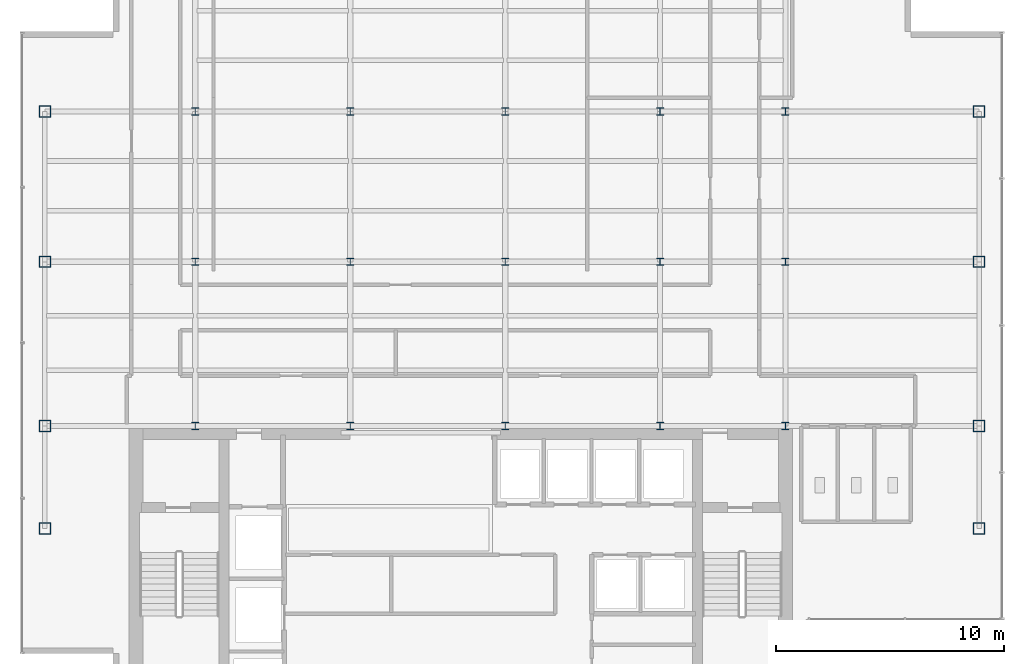
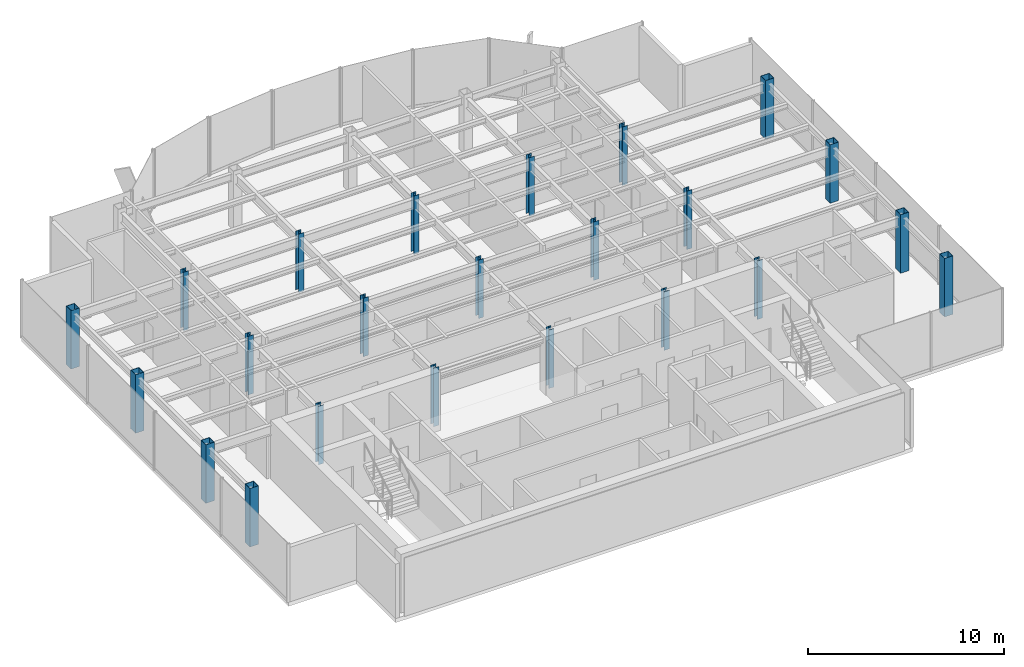
# One storey, part 1 of 22: 23 columns.
"""IFC4 building model written with IfcOpenShell, lengths in metres."""

import ifcopenshell
import ifcopenshell.guid

model = None  # the IFC model being written
_history = None  # IfcOwnerHistory: only IFC2X3 demands one
_inside = {}  # id of a spatial element -> (the spatial element, [elements in it])
_under = {}  # id of a project, library or spatial element -> (it, [spatial elements below it])
_declared = {}  # id of a project -> (the project, [libraries it declares])
_typed = {}  # id of a type object -> (the type object, [elements of that type])
_made_of = {}  # id of a material, layer set ... -> (it, [elements and type objects made of it])


def new_model(schema):
    """Start an empty IFC model of exactly this schema.

    Asked for "IFC4X3", IfcOpenShell would pick the latest addendum, in which some entities
    have other attributes; the version numbers below select the first issue.
    IFC2X3 requires an IfcOwnerHistory on every rooted entity: one is made here for all.
    """
    global model, _history
    if schema == "IFC4X3":
        model = ifcopenshell.file(schema_version=(4, 3, 0, 0))
    else:
        model = ifcopenshell.file(schema=schema)
    _inside.clear()
    _under.clear()
    _declared.clear()
    _typed.clear()
    _made_of.clear()
    _history = None
    if model.schema == "IFC2X3":
        org = make("IfcOrganization", Name="unknown")
        user = make(
            "IfcPersonAndOrganization",
            ThePerson=make("IfcPerson", FamilyName="unknown"),
            TheOrganization=org,
        )
        app = make(
            "IfcApplication",
            ApplicationDeveloper=org,
            Version="unknown",
            ApplicationFullName="unknown",
            ApplicationIdentifier="unknown",
        )
        _history = make(
            "IfcOwnerHistory",
            OwningUser=user,
            OwningApplication=app,
            ChangeAction="ADDED",
            CreationDate=0,
        )
    return model


def make(cls, **values):
    """One entity of the class cls with the attributes given. An attribute that is None is left unset."""
    return model.create_entity(
        cls, **{name: value for name, value in values.items() if value is not None}
    )


def rooted(cls, **values):
    """An entity with a GlobalId (a new one), such as an element, a storey or a relation."""
    return make(cls, GlobalId=ifcopenshell.guid.new(), OwnerHistory=_history, **values)


def si_unit(unit_type, name, prefix=None):
    """IfcSIUnit, for example si_unit("LENGTHUNIT", "METRE", prefix="MILLI")."""
    return make("IfcSIUnit", UnitType=unit_type, Prefix=prefix, Name=name)


def derived_unit(unit_type, elements):
    """IfcDerivedUnit: a product of units, each with its exponent."""
    return make(
        "IfcDerivedUnit",
        Elements=[
            make("IfcDerivedUnitElement", Unit=unit, Exponent=power)
            for unit, power in elements
        ],
        UnitType=unit_type,
    )


def assignment(units):
    """IfcUnitAssignment: the units of a project."""
    return None if units is None else make("IfcUnitAssignment", Units=units)


def point(xyz):
    """IfcCartesianPoint."""
    return None if xyz is None else make("IfcCartesianPoint", Coordinates=xyz)


def direction(xyz):
    """IfcDirection."""
    return None if xyz is None else make("IfcDirection", DirectionRatios=xyz)


def frame(location, z_axis=None, x_axis=None):
    """IfcAxis2Placement3D, a coordinate frame: its origin and axes. An axis left out is left unset."""
    return make(
        "IfcAxis2Placement3D",
        Location=point(location),
        Axis=direction(z_axis),
        RefDirection=direction(x_axis),
    )


def frame_2d(location, x_axis=None):
    """IfcAxis2Placement2D, a coordinate frame in the plane: its origin and x axis."""
    return make(
        "IfcAxis2Placement2D", Location=point(location), RefDirection=direction(x_axis)
    )


def origin():
    """The frame at (0, 0, 0) with its axes left unset."""
    return frame((0.0, 0.0, 0.0))


def origin_2d():
    """The frame at (0, 0) in the plane with its x axis left unset."""
    return frame_2d((0.0, 0.0))


def place(relative_to, where):
    """IfcLocalPlacement: puts the frame where relative to a parent placement (None: the world)."""
    return make(
        "IfcLocalPlacement", PlacementRelTo=relative_to, RelativePlacement=where
    )


def context(
    kind, dimensions, precision=None, world=None, true_north=None, identifier=None
):
    """IfcGeometricRepresentationContext, for example the 3D "Model" context."""
    return make(
        "IfcGeometricRepresentationContext",
        ContextIdentifier=identifier,
        ContextType=kind,
        CoordinateSpaceDimension=dimensions,
        Precision=precision,
        WorldCoordinateSystem=world,
        TrueNorth=true_north,
    )


def subcontext(parent, identifier, kind, view, scale=None):
    """IfcGeometricRepresentationSubContext, for example "Body" below "Model"."""
    return make(
        "IfcGeometricRepresentationSubContext",
        ContextIdentifier=identifier,
        ContextType=kind,
        ParentContext=parent,
        TargetScale=scale,
        TargetView=view,
    )


def project(units=None, contexts=None):
    """IfcProject with its units and contexts."""
    return rooted(
        "IfcProject",
        Name="project",
        RepresentationContexts=contexts,
        UnitsInContext=assignment(units),
    )


def spatial(cls, under=None, at=None, **own):
    """A site, building, storey or space (cls), placed at a placement, below another one or the project."""
    s = rooted(cls, ObjectPlacement=at, **own)
    if under is not None:
        _under.setdefault(under.id(), (under, []))[1].append(s)
    return s


def profile(cls, at=None, kind="AREA", **sizes):
    """A parametric profile (cls). Its sizes go by their IFC names, for example OverallWidth=200.0."""
    return make(cls, ProfileType=kind, Position=at, **sizes)


def hollow_rectangle(**sizes):
    """IfcRectangleHollowProfileDef."""
    return profile("IfcRectangleHollowProfileDef", **sizes)


def i_section(**sizes):
    """IfcIShapeProfileDef."""
    return profile("IfcIShapeProfileDef", **sizes)


def extrude(swept, where, along, depth):
    """IfcExtrudedAreaSolid: the profile swept, set in the frame where, extruded along a direction by depth."""
    return make(
        "IfcExtrudedAreaSolid",
        SweptArea=swept,
        Position=where,
        ExtrudedDirection=direction(along),
        Depth=depth,
    )


def shape(context_of_items, identifier, shape_type, items):
    """IfcShapeRepresentation: the items that make up one representation, for example the "Body"."""
    return make(
        "IfcShapeRepresentation",
        ContextOfItems=context_of_items,
        RepresentationIdentifier=identifier,
        RepresentationType=shape_type,
        Items=items,
    )


def source(mapping_origin, context_of_items, identifier, shape_type, items):
    """IfcRepresentationMap: a shape defined once, which mapped items show again and again."""
    return make(
        "IfcRepresentationMap",
        MappingOrigin=mapping_origin,
        MappedRepresentation=shape(context_of_items, identifier, shape_type, items),
    )


def transform(
    local_origin,
    x_axis=None,
    y_axis=None,
    z_axis=None,
    scale=None,
    scale2=None,
    scale3=None,
    uniform=True,
):
    """IfcCartesianTransformationOperator3D, or its non-uniform kind. x_axis, y_axis, z_axis: its Axis1, 2, 3."""
    if uniform:
        return make(
            "IfcCartesianTransformationOperator3D",
            Axis1=direction(x_axis),
            Axis2=direction(y_axis),
            LocalOrigin=point(local_origin),
            Scale=scale,
            Axis3=direction(z_axis),
        )
    return make(
        "IfcCartesianTransformationOperator3DnonUniform",
        Axis1=direction(x_axis),
        Axis2=direction(y_axis),
        LocalOrigin=point(local_origin),
        Scale=scale,
        Axis3=direction(z_axis),
        Scale2=scale2,
        Scale3=scale3,
    )


def mapped(mapping_source, mapping_target):
    """IfcMappedItem: shows the shape of a source again, moved by a transform."""
    return make(
        "IfcMappedItem", MappingSource=mapping_source, MappingTarget=mapping_target
    )


def material(Name=None, Category=None):
    """IfcMaterial."""
    return make("IfcMaterial", Name=Name, Category=Category)


def material_profile(
    of_material, cross_section, Name=None, Category=None, Priority=None
):
    """IfcMaterialProfile: a cross section and its material."""
    return make(
        "IfcMaterialProfile",
        Name=Name,
        Material=of_material,
        Profile=cross_section,
        Priority=Priority,
        Category=Category,
    )


def profile_set(profiles, Name=None, composite=None):
    """IfcMaterialProfileSet."""
    return make(
        "IfcMaterialProfileSet",
        Name=Name,
        MaterialProfiles=profiles,
        CompositeProfile=composite,
    )


def made_of(thing, what):
    """Note that an element or type object is made of a material, layer set ...; save() writes the relation."""
    if what is not None:
        _made_of.setdefault(what.id(), (what, []))[1].append(thing)
    return thing


def type_object(cls, material=None, **own):
    """A type object (cls), such as IfcWallType, which elements share."""
    return made_of(rooted(cls, **own), material)


def element(
    cls,
    number,
    at=None,
    inside=None,
    cuts=None,
    type_object=None,
    material=None,
    context=None,
    identifier="Body",
    shape_type=None,
    held_by="IfcProductDefinitionShape",
    body=None,
    shapes=None,
    **own,
):
    """One element of the class cls, such as IfcWall. Its Tag is "e" and its number.

    at: its placement. inside: the storey or other place that contains it. cuts: it is an
    opening in that element (IfcRelVoidsElement). A single representation is given by context,
    identifier, shape_type and body (its items); several are given by shapes. held_by: the class
    of the entity that holds the representations. save() writes the other relations.
    """
    e = rooted(cls, Tag="e%d" % number, ObjectPlacement=at, **own)
    if body is not None:
        shapes = [shape(context, identifier, shape_type, body)]
    if shapes is not None:
        e.Representation = make(held_by, Representations=shapes)
    if inside is not None:
        _inside.setdefault(inside.id(), (inside, []))[1].append(e)
    if cuts is not None:
        rooted(
            "IfcRelVoidsElement", RelatingBuildingElement=cuts, RelatedOpeningElement=e
        )
    if type_object is not None:
        _typed.setdefault(type_object.id(), (type_object, []))[1].append(e)
    return made_of(e, material)


def aggregate(whole, parts):
    """IfcRelAggregates: a whole, such as a stair, and the parts it consists of."""
    return rooted("IfcRelAggregates", RelatingObject=whole, RelatedObjects=parts)


def save(model, path):
    """Write the relations noted so far, then the file.

    IfcRelAggregates (storeys below a building ...), IfcRelContainedInSpatialStructure (elements
    in a storey), IfcRelDefinesByType, IfcRelAssociatesMaterial and IfcRelDeclares: one each for
    every whole, place, type object, material and project.
    """
    for whole, parts in _under.values():
        aggregate(whole, parts)
    for where, things in _inside.values():
        rooted(
            "IfcRelContainedInSpatialStructure",
            RelatedElements=things,
            RelatingStructure=where,
        )
    for kind, things in _typed.values():
        rooted("IfcRelDefinesByType", RelatedObjects=things, RelatingType=kind)
    for what, things in _made_of.values():
        rooted("IfcRelAssociatesMaterial", RelatedObjects=things, RelatingMaterial=what)
    for by, libraries in _declared.values():
        rooted("IfcRelDeclares", RelatingContext=by, RelatedDefinitions=libraries)
    model.write(path)


model = new_model("IFC4")

# Units and contexts
model_context = context("Model", 3, precision=1e-05, world=origin(), true_north=direction((0.0, 1.0)))
body_context = subcontext(model_context, "Body", "Model", "MODEL_VIEW")
ifc_project = project(units=[si_unit("LENGTHUNIT", "METRE"), si_unit("AREAUNIT", "SQUARE_METRE"), si_unit("VOLUMEUNIT", "CUBIC_METRE"), si_unit("PLANEANGLEUNIT", "RADIAN"), si_unit("MASSUNIT", "GRAM", prefix="KILO"), derived_unit("THERMALTRANSMITTANCEUNIT", [(si_unit("POWERUNIT", "WATT"), 1), (si_unit("LENGTHUNIT", "METRE"), -2), (si_unit("THERMODYNAMICTEMPERATUREUNIT", "KELVIN"), -1)])], contexts=[model_context])

# Site, building, storey
site_placement = place(None, origin())
site = spatial("IfcSite", under=ifc_project, at=site_placement, CompositionType="ELEMENT")
building_placement = place(site_placement, origin())
building = spatial("IfcBuilding", under=site, at=building_placement, Name="Skarnbrae Concourse Arena and Tower", CompositionType="ELEMENT")
storey_placement = place(building_placement, frame((0.0, 0.0, 262.449951171875)))
storey = spatial("IfcBuildingStorey", under=building, at=storey_placement, Name="L68", CompositionType="ELEMENT", Elevation=262.449951171875)

# Columns
ifc_material = material(Name="Steel CSA G40.21 350W", Category="steel")
ifc_material_profile_1 = material_profile(ifc_material, hollow_rectangle(XDim=0.5, YDim=0.5, WallThickness=0.02197265625, at=origin_2d()), Name="HSS500X500X22.0")
ifc_profile_set_1 = profile_set([ifc_material_profile_1], Name="Steel CSA G40.21 350W")
column_type_1 = type_object("IfcColumnType", Name="COL-TUBE-HSS500", PredefinedType="COLUMN", material=ifc_profile_set_1)
shared_shape_1 = source(origin(), body_context, "Body", "SweptSolid", [
    extrude(hollow_rectangle(XDim=0.5, YDim=0.5, WallThickness=0.02197265625, at=origin_2d()), origin(), (0.0, 0.0, 1.0), 3.650146484375),
])
for number, where, z_axis, x_axis, name in (
    (1, (1.0, 9.5, 0.0), (0.0, 0.0, 1.0), (1.0, 0.0, 0.0), "L68 Tower column PC_01_01"),
    (2, (1.0, 14.0, 0.0), (0.0, 0.0, 1.0), (1.0, 0.0, 0.0), "L68 Tower column PC_01_02"),
    (3, (1.0, 21.199951171875, 0.0), (0.0, 0.0, 1.0), (1.0, 0.0, 0.0), "L68 Tower column PC_01_03"),
    (4, (1.0, 27.800048828125, 0.0), (0.0, 0.0, 1.0), (1.0, 0.0, 0.0), "L68 Tower column PC_01_04"),
    (5, (42.0, 9.5, 0.0), (0.0, 0.0, 1.0), (1.0, 0.0, 0.0), "L68 Tower column PC_07_01"),
    (6, (42.0, 14.0, 0.0), (0.0, 0.0, 1.0), (1.0, 0.0, 0.0), "L68 Tower column PC_07_02"),
    (7, (42.0, 21.199951171875, 0.0), (0.0, 0.0, 1.0), (1.0, 0.0, 0.0), "L68 Tower column PC_07_03"),
    (8, (42.0, 27.800048828125, 0.0), (0.0, 0.0, 1.0), (1.0, 0.0, 0.0), "L68 Tower column PC_07_04"),
):
    element("IfcColumn", number, at=place(storey_placement, frame(where, z_axis=z_axis, x_axis=x_axis)), inside=storey, type_object=column_type_1, Name=name, PredefinedType="COLUMN", context=body_context, shape_type="MappedRepresentation", body=[
        mapped(shared_shape_1, transform((0.0, 0.0, 0.0))),
    ])
ifc_material_profile_2 = material_profile(ifc_material, i_section(OverallWidth=0.30908203125, OverallDepth=0.322998046875, WebThickness=0.013916015625, FlangeThickness=0.02294921875, at=origin_2d()), Name="W310X143")
ifc_profile_set_2 = profile_set([ifc_material_profile_2], Name="Steel CSA G40.21 350W")
column_type_2 = type_object("IfcColumnType", Name="COL-INT-W310X143", PredefinedType="COLUMN", material=ifc_profile_set_2)
shared_shape_2 = source(origin(), body_context, "Body", "SweptSolid", [
    extrude(i_section(OverallWidth=0.30908203125, OverallDepth=0.322998046875, WebThickness=0.013916015625, FlangeThickness=0.02294921875, at=origin_2d()), origin(), (0.0, 0.0, 1.0), 3.650146484375),
])
for number, where, z_axis, x_axis, name in (
    (9, (7.60009765625, 14.0, 0.0), (0.0, 0.0, 1.0), (1.0, 0.0, 0.0), "L68 Tower column IC_02_02"),
    (10, (7.60009765625, 21.199951171875, 0.0), (0.0, 0.0, 1.0), (1.0, 0.0, 0.0), "L68 Tower column IC_02_03"),
    (11, (7.60009765625, 27.800048828125, 0.0), (0.0, 0.0, 1.0), (1.0, 0.0, 0.0), "L68 Tower column IC_02_04"),
    (12, (14.39990234375, 14.0, 0.0), (0.0, 0.0, 1.0), (1.0, 0.0, 0.0), "L68 Tower column IC_03_02"),
    (13, (14.39990234375, 21.199951171875, 0.0), (0.0, 0.0, 1.0), (1.0, 0.0, 0.0), "L68 Tower column IC_03_03"),
    (14, (14.39990234375, 27.800048828125, 0.0), (0.0, 0.0, 1.0), (1.0, 0.0, 0.0), "L68 Tower column IC_03_04"),
    (15, (21.199951171875, 14.0, 0.0), (0.0, 0.0, 1.0), (1.0, 0.0, 0.0), "L68 Tower column IC_04_02"),
    (16, (21.199951171875, 21.199951171875, 0.0), (0.0, 0.0, 1.0), (1.0, 0.0, 0.0), "L68 Tower column IC_04_03"),
    (17, (21.199951171875, 27.800048828125, 0.0), (0.0, 0.0, 1.0), (1.0, 0.0, 0.0), "L68 Tower column IC_04_04"),
    (18, (28.0, 14.0, 0.0), (0.0, 0.0, 1.0), (1.0, 0.0, 0.0), "L68 Tower column IC_05_02"),
    (19, (28.0, 21.199951171875, 0.0), (0.0, 0.0, 1.0), (1.0, 0.0, 0.0), "L68 Tower column IC_05_03"),
    (20, (28.0, 27.800048828125, 0.0), (0.0, 0.0, 1.0), (1.0, 0.0, 0.0), "L68 Tower column IC_05_04"),
    (21, (33.5, 14.0, 0.0), (0.0, 0.0, 1.0), (1.0, 0.0, 0.0), "L68 Tower column IC_06_02"),
    (22, (33.5, 21.199951171875, 0.0), (0.0, 0.0, 1.0), (1.0, 0.0, 0.0), "L68 Tower column IC_06_03"),
    (23, (33.5, 27.800048828125, 0.0), (0.0, 0.0, 1.0), (1.0, 0.0, 0.0), "L68 Tower column IC_06_04"),
):
    element("IfcColumn", number, at=place(storey_placement, frame(where, z_axis=z_axis, x_axis=x_axis)), inside=storey, type_object=column_type_2, Name=name, PredefinedType="COLUMN", context=body_context, shape_type="MappedRepresentation", body=[
        mapped(shared_shape_2, transform((0.0, 0.0, 0.0))),
    ])

save(model, "model.ifc")
